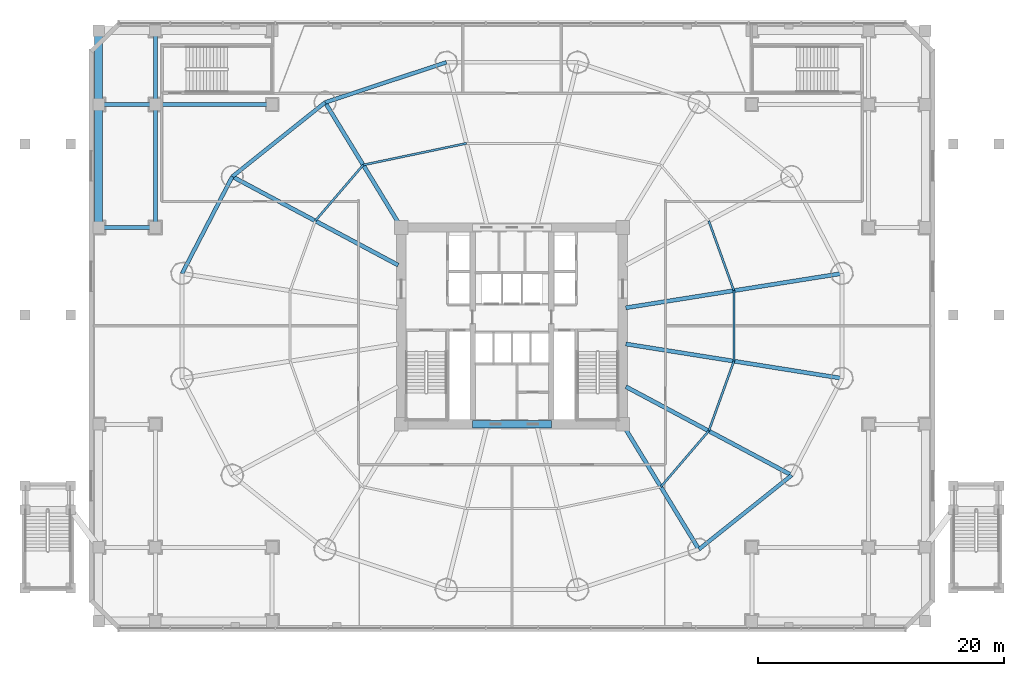
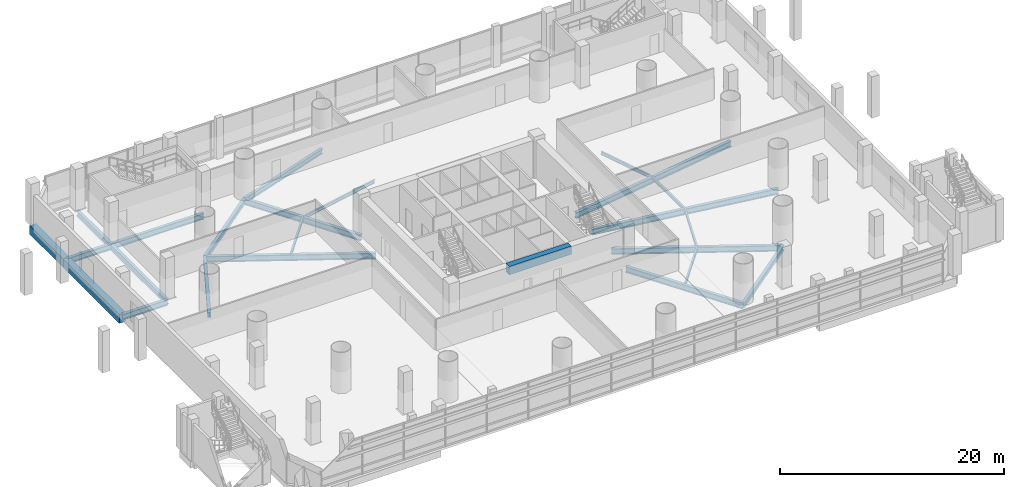
# One storey, part 10 of 36: 24 beams.
"""IFC4 building model written with IfcOpenShell, lengths in metres."""

from ifc_helpers import new_model, si_unit, direction, frame, origin, origin_2d, place, context, subcontext, project, spatial, rectangle, i_section, extrude, material, material_profile, profile_set, type_object, element, save


model = new_model("IFC4")

# Units and contexts
model_context = context("Model", 3, precision=1e-05, world=origin(), true_north=direction((-0.2419218956, 0.970295726276)))
body_context = subcontext(model_context, "Body", "Model", "MODEL_VIEW")
ifc_project = project(units=[si_unit("LENGTHUNIT", "METRE"), si_unit("AREAUNIT", "SQUARE_METRE"), si_unit("VOLUMEUNIT", "CUBIC_METRE"), si_unit("PLANEANGLEUNIT", "RADIAN"), si_unit("MASSUNIT", "GRAM", prefix="KILO")], contexts=[model_context])

# Site, building, storey
site_placement = place(None, origin())
site = spatial("IfcSite", under=ifc_project, at=site_placement, CompositionType="ELEMENT")
building_placement = place(site_placement, origin())
building = spatial("IfcBuilding", under=site, at=building_placement, Name="Cobrevalo Terracotta Tower", CompositionType="ELEMENT")
storey_placement = place(building_placement, frame((0.0, 0.0, 14.39990234375)))
storey = spatial("IfcBuildingStorey", under=building, at=storey_placement, Name="L03", CompositionType="ELEMENT", Elevation=14.39990234375)

# Beams
ifc_material_1 = material(Name="Concrete C60", Category="concrete")
ifc_material_profile_1 = material_profile(ifc_material_1, rectangle(XDim=0.60009765625, YDim=0.89990234375, at=origin_2d()), Name="RC CB 600x900")
ifc_profile_set_1 = profile_set([ifc_material_profile_1], Name="Concrete C60")
beam_type_1 = type_object("IfcBeamType", Name="Structural Beam RC CB 600x900 (Concrete C60)", PredefinedType="BEAM", material=ifc_profile_set_1)
beam_1_placement = place(storey_placement, frame((34.800048828125, 18.800048828125, 3.60009765625), z_axis=(1.0, 0.0, 0.0), x_axis=(0.0, 1.0, 0.0)))
element("IfcBeam", 1, at=beam_1_placement, inside=storey, type_object=beam_type_1, Name="L03 core coupling beam 1", PredefinedType="BEAM", context=body_context, shape_type="SweptSolid", body=[
    extrude(rectangle(XDim=0.60009765625, YDim=0.89990234375, at=origin_2d()), origin(), (0.0, 0.0, 1.0), 6.39990234375),
])
ifc_material_2 = material(Name="Steel S355", Category="steel")
ifc_material_profile_2 = material_profile(ifc_material_2, i_section(OverallWidth=0.324951171875, OverallDepth=0.615966796875, WebThickness=0.013916015625, FlangeThickness=0.021484375, at=origin_2d()), Name="W 610x174")
ifc_profile_set_2 = profile_set([ifc_material_profile_2], Name="Steel S355")
beam_type_2 = type_object("IfcBeamType", Name="Structural Beam W 610x174 (Steel S355)", PredefinedType="BEAM", material=ifc_profile_set_2)
for number, where, z_axis, x_axis, name in (
    (2, (4.39990234375, 34.800048828125, -0.60791015625), (1.0, 0.0, 0.0), (0.0, 1.0, 0.0), "L03 podium grid beam G1-GE to G2-GE"),
    (3, (4.39990234375, 44.800048828125, -0.60791015625), (1.0, 0.0, 0.0), (0.0, 1.0, 0.0), "L03 podium grid beam G1-GF to G2-GF"),
):
    element("IfcBeam", number, at=place(storey_placement, frame(where, z_axis=z_axis, x_axis=x_axis)), inside=storey, type_object=beam_type_2, Name=name, PredefinedType="BEAM", context=body_context, shape_type="SweptSolid", body=[
        extrude(i_section(OverallWidth=0.324951171875, OverallDepth=0.615966796875, WebThickness=0.013916015625, FlangeThickness=0.021484375, at=origin_2d()), origin(), (0.0, 0.0, 1.0), 4.60009765625),
    ])
beam_2_placement = place(storey_placement, frame((9.0, 34.800048828125, -0.60791015625), z_axis=(0.0, 1.0, 0.0), x_axis=(-1.0, 0.0, 0.0)))
element("IfcBeam", 4, at=beam_2_placement, inside=storey, type_object=beam_type_2, Name="L03 podium grid beam G2-GE to G2-GF", PredefinedType="BEAM", context=body_context, shape_type="SweptSolid", body=[
    extrude(i_section(OverallWidth=0.324951171875, OverallDepth=0.615966796875, WebThickness=0.013916015625, FlangeThickness=0.021484375, at=origin_2d()), origin(), (0.0, 0.0, 1.0), 10.0),
])
beam_3_placement = place(storey_placement, frame((9.0, 44.800048828125, -0.60791015625), z_axis=(0.0, 1.0, 0.0), x_axis=(-1.0, 0.0, 0.0)))
element("IfcBeam", 5, at=beam_3_placement, inside=storey, type_object=beam_type_2, Name="L03 podium grid beam G2-GF to G2-GG", PredefinedType="BEAM", context=body_context, shape_type="SweptSolid", body=[
    extrude(i_section(OverallWidth=0.324951171875, OverallDepth=0.615966796875, WebThickness=0.013916015625, FlangeThickness=0.021484375, at=origin_2d()), origin(), (0.0, 0.0, 1.0), 6.0),
])
beam_4_placement = place(storey_placement, frame((9.0, 44.800048828125, -0.60791015625), z_axis=(1.0, 0.0, 0.0), x_axis=(0.0, 1.0, 0.0)))
element("IfcBeam", 6, at=beam_4_placement, inside=storey, type_object=beam_type_2, Name="L03 podium grid beam G2-GF to G3-GF", PredefinedType="BEAM", context=body_context, shape_type="SweptSolid", body=[
    extrude(i_section(OverallWidth=0.324951171875, OverallDepth=0.615966796875, WebThickness=0.013916015625, FlangeThickness=0.021484375, at=origin_2d()), origin(), (0.0, 0.0, 1.0), 9.5),
])
ifc_material_profile_3 = material_profile(ifc_material_2, i_section(OverallWidth=0.3291015625, OverallDepth=0.635009765625, WebThickness=0.017822265625, FlangeThickness=0.031005859375, at=origin_2d()), Name="W 610x241")
ifc_profile_set_3 = profile_set([ifc_material_profile_3], Name="Steel S355")
beam_type_3 = type_object("IfcBeamType", Name="Structural Beam W 610x241 (Steel S355)", PredefinedType="BEAM", material=ifc_profile_set_3)
beam_5_placement = place(storey_placement, frame((64.824462890625, 31.062744140625, -0.617431640625), z_axis=(-0.987607924622, -0.156941349628, 0.0), x_axis=(0.156941349628, -0.987607924622, 0.0)))
element("IfcBeam", 7, at=beam_5_placement, inside=storey, type_object=beam_type_3, Name="L03 radial floor girder 01", PredefinedType="BEAM", context=body_context, shape_type="SweptSolid", body=[
    extrude(i_section(OverallWidth=0.3291015625, OverallDepth=0.635009765625, WebThickness=0.017822265625, FlangeThickness=0.031005859375, at=origin_2d()), origin(), (0.0, 0.0, 1.0), 17.7900390625),
])
beam_6_placement = place(storey_placement, frame((22.80517578125, 44.967529296875, -0.617431640625), z_axis=(0.520309892051, -0.853977526773, 0.0), x_axis=(0.853977526773, 0.520309892051, 0.0)))
element("IfcBeam", 8, at=beam_6_placement, inside=storey, type_object=beam_type_3, Name="L03 radial floor girder 06", PredefinedType="BEAM", context=body_context, shape_type="SweptSolid", body=[
    extrude(i_section(OverallWidth=0.3291015625, OverallDepth=0.635009765625, WebThickness=0.017822265625, FlangeThickness=0.031005859375, at=origin_2d()), origin(), (0.0, 0.0, 1.0), 11.906005859375),
])
beam_7_placement = place(storey_placement, frame((15.25927734375, 38.939208984375, -0.617431640625), z_axis=(0.88218223571, -0.470908168329, 0.0), x_axis=(0.470908168329, 0.88218223571, 0.0)))
element("IfcBeam", 9, at=beam_7_placement, inside=storey, type_object=beam_type_3, Name="L03 radial floor girder 07", PredefinedType="BEAM", context=body_context, shape_type="SweptSolid", body=[
    extrude(i_section(OverallWidth=0.3291015625, OverallDepth=0.635009765625, WebThickness=0.017822265625, FlangeThickness=0.031005859375, at=origin_2d()), origin(), (0.0, 0.0, 1.0), 15.286865234375),
])
beam_8_placement = place(storey_placement, frame((53.19482421875, 8.63232421875, -0.617431640625), z_axis=(-0.520300780853, 0.853983077961, 0.0), x_axis=(-0.853983077961, -0.520300780853, 0.0)))
element("IfcBeam", 10, at=beam_8_placement, inside=storey, type_object=beam_type_3, Name="L03 radial floor girder 14", PredefinedType="BEAM", context=body_context, shape_type="SweptSolid", body=[
    extrude(i_section(OverallWidth=0.3291015625, OverallDepth=0.635009765625, WebThickness=0.017822265625, FlangeThickness=0.031005859375, at=origin_2d()), origin(), (0.0, 0.0, 1.0), 11.90625),
])
beam_9_placement = place(storey_placement, frame((60.74072265625, 14.660888671875, -0.617431640625), z_axis=(-0.88218223571, 0.470908168329, 0.0), x_axis=(-0.470908168329, -0.88218223571, 0.0)))
element("IfcBeam", 11, at=beam_9_placement, inside=storey, type_object=beam_type_3, Name="L03 radial floor girder 15", PredefinedType="BEAM", context=body_context, shape_type="SweptSolid", body=[
    extrude(i_section(OverallWidth=0.3291015625, OverallDepth=0.635009765625, WebThickness=0.017822265625, FlangeThickness=0.031005859375, at=origin_2d()), origin(), (0.0, 0.0, 1.0), 15.286865234375),
])
beam_10_placement = place(storey_placement, frame((64.824462890625, 22.537353515625, -0.617431640625), z_axis=(-0.987607924622, 0.156941349628, 0.0), x_axis=(-0.156941349628, -0.987607924622, 0.0)))
element("IfcBeam", 12, at=beam_10_placement, inside=storey, type_object=beam_type_3, Name="L03 radial floor girder 16", PredefinedType="BEAM", context=body_context, shape_type="SweptSolid", body=[
    extrude(i_section(OverallWidth=0.3291015625, OverallDepth=0.635009765625, WebThickness=0.017822265625, FlangeThickness=0.031005859375, at=origin_2d()), origin(), (0.0, 0.0, 1.0), 17.7900390625),
])
ifc_material_profile_4 = material_profile(ifc_material_2, i_section(OverallWidth=0.1708984375, OverallDepth=0.35498046875, WebThickness=0.007080078125, FlangeThickness=0.01171875, at=origin_2d()), Name="W 360x51")
ifc_profile_set_4 = profile_set([ifc_material_profile_4], Name="Steel S355")
beam_type_4 = type_object("IfcBeamType", Name="Structural Joist W 360x51 (Steel S355)", PredefinedType="JOIST", material=ifc_profile_set_4)
beam_11_placement = place(storey_placement, frame((56.039794921875, 29.666748046875, -0.477294921875), z_axis=(-0.338672151116, 0.940904444701, 0.0), x_axis=(-0.940904444701, -0.338672151116, 0.0)))
element("IfcBeam", 13, at=beam_11_placement, inside=storey, type_object=beam_type_4, Name="L03 circumferential secondary floor joist 01", PredefinedType="JOIST", context=body_context, shape_type="SweptSolid", body=[
    extrude(i_section(OverallWidth=0.1708984375, OverallDepth=0.35498046875, WebThickness=0.007080078125, FlangeThickness=0.01171875, at=origin_2d()), origin(), (0.0, 0.0, 1.0), 6.029296875),
])
beam_12_placement = place(storey_placement, frame((34.304443359375, 41.642578125, -0.477294921875), z_axis=(-0.978784523904, -0.204892302848, 0.0), x_axis=(0.204892302848, -0.978784523904, 0.0)))
element("IfcBeam", 14, at=beam_12_placement, inside=storey, type_object=beam_type_4, Name="L03 circumferential secondary floor joist 05", PredefinedType="JOIST", context=body_context, shape_type="SweptSolid", body=[
    extrude(i_section(OverallWidth=0.1708984375, OverallDepth=0.35498046875, WebThickness=0.007080078125, FlangeThickness=0.01171875, at=origin_2d()), origin(), (0.0, 0.0, 1.0), 8.583984375),
])
for number, where, z_axis, x_axis, name in (
    (15, (25.902587890625, 39.8837890625, -0.477294921875), (-0.651328404454, -0.758795960421, 0.0), (0.758795960421, -0.651328404454, 0.0), "L03 circumferential secondary floor joist 06"),
    (16, (50.097412109375, 13.71630859375, -0.477294921875), (0.651328404454, 0.758795960421, 0.0), (-0.758795960421, 0.651328404454, 0.0), "L03 circumferential secondary floor joist 14"),
):
    element("IfcBeam", number, at=place(storey_placement, frame(where, z_axis=z_axis, x_axis=x_axis)), inside=storey, type_object=beam_type_4, Name=name, PredefinedType="JOIST", context=body_context, shape_type="SweptSolid", body=[
        extrude(i_section(OverallWidth=0.1708984375, OverallDepth=0.35498046875, WebThickness=0.007080078125, FlangeThickness=0.01171875, at=origin_2d()), origin(), (0.0, 0.0, 1.0), 5.98828125),
    ])
beam_13_placement = place(storey_placement, frame((53.997802734375, 18.26025390625, -0.477294921875), z_axis=(0.338672151116, 0.940904444701, 0.0), x_axis=(-0.940904444701, 0.338672151116, 0.0)))
element("IfcBeam", 17, at=beam_13_placement, inside=storey, type_object=beam_type_4, Name="L03 circumferential secondary floor joist 15", PredefinedType="JOIST", context=body_context, shape_type="SweptSolid", body=[
    extrude(i_section(OverallWidth=0.1708984375, OverallDepth=0.35498046875, WebThickness=0.007080078125, FlangeThickness=0.01171875, at=origin_2d()), origin(), (0.0, 0.0, 1.0), 6.029296875),
])
beam_14_placement = place(storey_placement, frame((56.039794921875, 23.933349609375, -0.477294921875), z_axis=(0.0, 1.0, 0.0), x_axis=(-1.0, 0.0, 0.0)))
element("IfcBeam", 18, at=beam_14_placement, inside=storey, type_object=beam_type_4, Name="L03 circumferential secondary floor joist 16", PredefinedType="JOIST", context=body_context, shape_type="SweptSolid", body=[
    extrude(i_section(OverallWidth=0.1708984375, OverallDepth=0.35498046875, WebThickness=0.007080078125, FlangeThickness=0.01171875, at=origin_2d()), origin(), (0.0, 0.0, 1.0), 5.7333984375),
])
ifc_material_3 = material(Name="Concrete C50", Category="concrete")
ifc_material_profile_5 = material_profile(ifc_material_3, rectangle(XDim=0.64990234375, YDim=0.949951171875, at=origin_2d()), Name="RC BM 650x950")
ifc_profile_set_5 = profile_set([ifc_material_profile_5], Name="Concrete C50")
beam_type_5 = type_object("IfcBeamType", Name="Structural Spandrel RC BM 650x950 (Concrete C50)", PredefinedType="SPANDREL", material=ifc_profile_set_5)
beam_15_placement = place(storey_placement, frame((4.39990234375, 34.800048828125, -0.77490234375), z_axis=(0.0, 1.0, 0.0), x_axis=(-1.0, 0.0, 0.0)))
element("IfcBeam", 19, at=beam_15_placement, inside=storey, type_object=beam_type_5, Name="L03 podium grid beam G1-GE to G1-GF", PredefinedType="SPANDREL", context=body_context, shape_type="SweptSolid", body=[
    extrude(rectangle(XDim=0.64990234375, YDim=0.949951171875, at=origin_2d()), origin(), (0.0, 0.0, 1.0), 10.0),
])
beam_16_placement = place(storey_placement, frame((4.39990234375, 44.800048828125, -0.77490234375), z_axis=(0.0, 1.0, 0.0), x_axis=(-1.0, 0.0, 0.0)))
element("IfcBeam", 20, at=beam_16_placement, inside=storey, type_object=beam_type_5, Name="L03 podium grid beam G1-GF to G1-GG", PredefinedType="SPANDREL", context=body_context, shape_type="SweptSolid", body=[
    extrude(rectangle(XDim=0.64990234375, YDim=0.949951171875, at=origin_2d()), origin(), (0.0, 0.0, 1.0), 6.0),
])
ifc_material_profile_6 = material_profile(ifc_material_2, i_section(OverallWidth=0.31201171875, OverallDepth=0.54296875, WebThickness=0.0126953125, FlangeThickness=0.020263671875, at=origin_2d()), Name="W 530x150")
ifc_profile_set_6 = profile_set([ifc_material_profile_6], Name="Steel S355")
beam_type_6 = type_object("IfcBeamType", Name="Structural Spandrel W 530x150 (Steel S355)", PredefinedType="SPANDREL", material=ifc_profile_set_6)
beam_17_placement = place(storey_placement, frame((32.664306640625, 48.230224609375, -0.5712890625), z_axis=(-0.949365190876, -0.314174687638, 0.0), x_axis=(0.314174687638, -0.949365190876, 0.0)))
element("IfcBeam", 21, at=beam_17_placement, inside=storey, type_object=beam_type_6, Name="L03 perimeter ring spandrel 05", PredefinedType="SPANDREL", context=body_context, shape_type="SweptSolid", body=[
    extrude(i_section(OverallWidth=0.31201171875, OverallDepth=0.54296875, WebThickness=0.0126953125, FlangeThickness=0.020263671875, at=origin_2d()), origin(), (0.0, 0.0, 1.0), 10.385009765625),
])
beam_18_placement = place(storey_placement, frame((22.80517578125, 44.967529296875, -0.5712890625), z_axis=(-0.781292806807, -0.62416468182, 0.0), x_axis=(0.62416468182, -0.781292806807, 0.0)))
element("IfcBeam", 22, at=beam_18_placement, inside=storey, type_object=beam_type_6, Name="L03 perimeter ring spandrel 06", PredefinedType="SPANDREL", context=body_context, shape_type="SweptSolid", body=[
    extrude(i_section(OverallWidth=0.31201171875, OverallDepth=0.54296875, WebThickness=0.0126953125, FlangeThickness=0.020263671875, at=origin_2d()), origin(), (0.0, 0.0, 1.0), 9.658203125),
])
beam_19_placement = place(storey_placement, frame((15.25927734375, 38.939208984375, -0.5712890625), z_axis=(-0.460285838799, -0.88777077368, 0.0), x_axis=(0.88777077368, -0.460285838799, 0.0)))
element("IfcBeam", 23, at=beam_19_placement, inside=storey, type_object=beam_type_6, Name="L03 perimeter ring spandrel 07", PredefinedType="SPANDREL", context=body_context, shape_type="SweptSolid", body=[
    extrude(i_section(OverallWidth=0.31201171875, OverallDepth=0.54296875, WebThickness=0.0126953125, FlangeThickness=0.020263671875, at=origin_2d()), origin(), (0.0, 0.0, 1.0), 8.8720703125),
])
beam_20_placement = place(storey_placement, frame((53.19482421875, 8.63232421875, -0.5712890625), z_axis=(0.781280479891, 0.62418011162, 0.0), x_axis=(-0.62418011162, 0.781280479891, 0.0)))
element("IfcBeam", 24, at=beam_20_placement, inside=storey, type_object=beam_type_6, Name="L03 perimeter ring spandrel 14", PredefinedType="SPANDREL", context=body_context, shape_type="SweptSolid", body=[
    extrude(i_section(OverallWidth=0.31201171875, OverallDepth=0.54296875, WebThickness=0.0126953125, FlangeThickness=0.020263671875, at=origin_2d()), origin(), (0.0, 0.0, 1.0), 9.658447265625),
])

save(model, "model.ifc")
